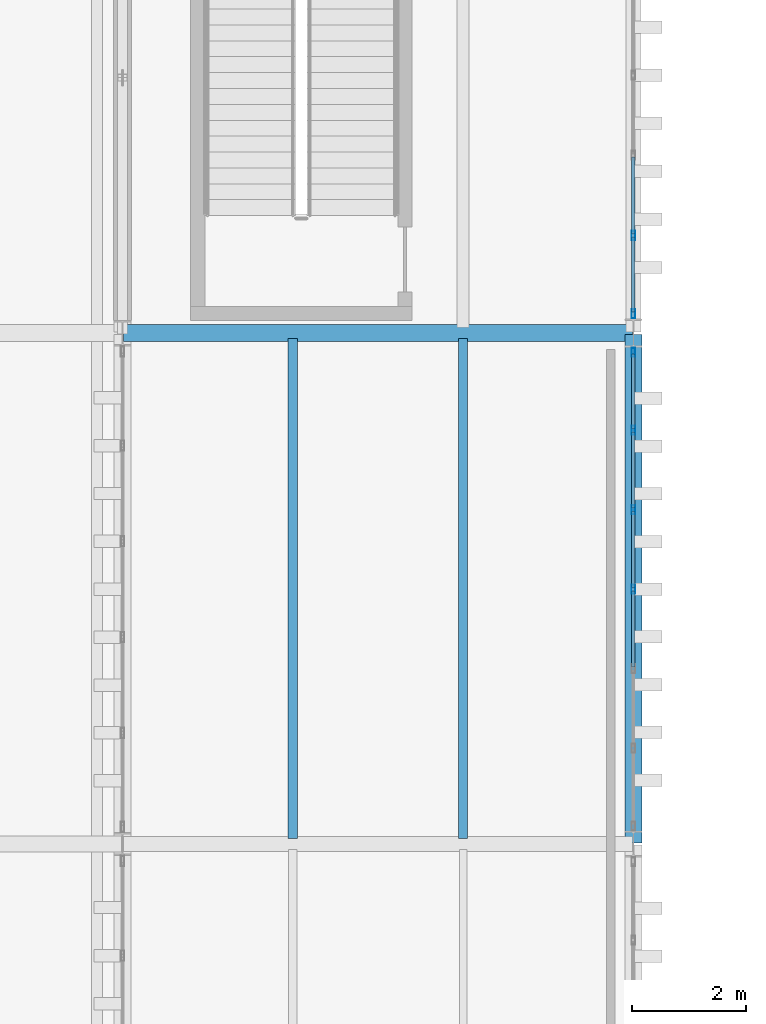
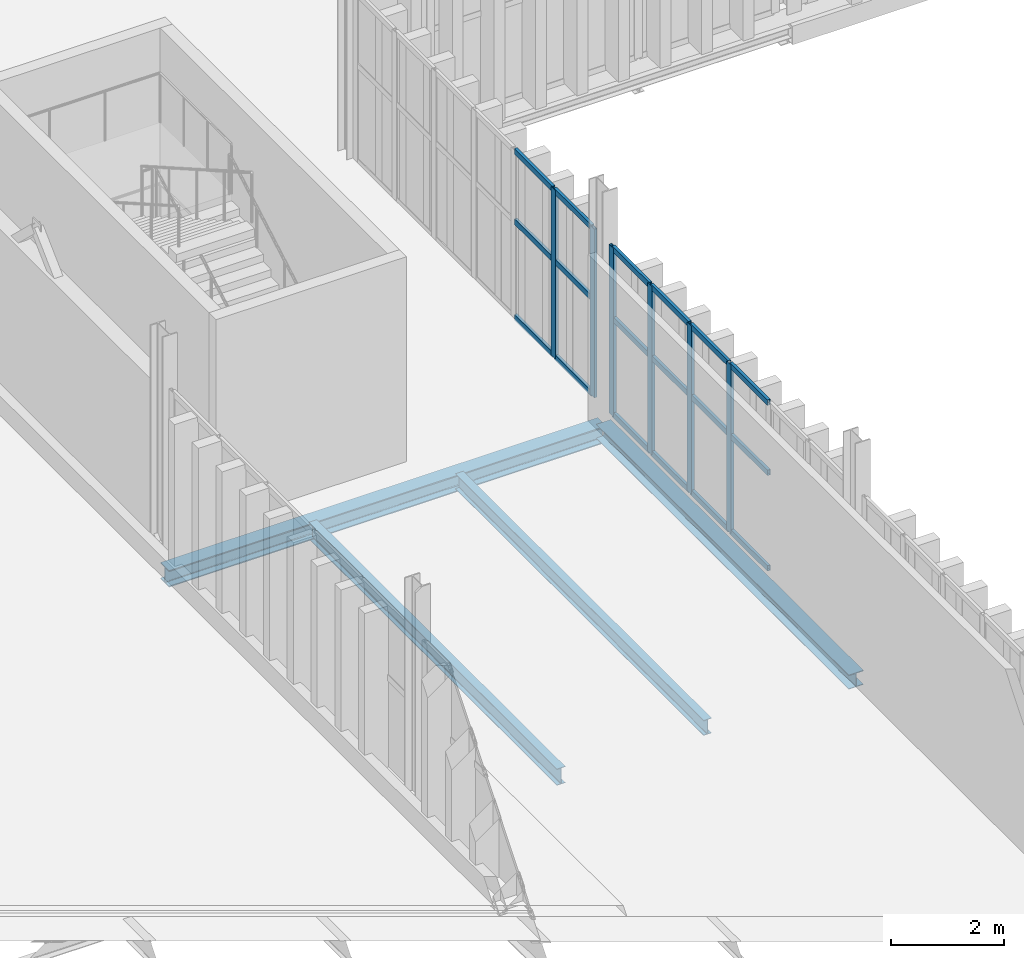
# One storey, part 132 of 196: 24 members, 4 beams, 2 elements without a shape of their own.
"""IFC4 building model written with IfcOpenShell, lengths in metres."""

from ifc_helpers import new_model, si_unit, direction, frame, origin, origin_2d, place, context, subcontext, project, spatial, hollow_rectangle, i_section, extrude, material, layer, layer_set, material_profile, profile_set, type_object, element, aggregate, save


model = new_model("IFC4")

# Units and contexts
model_context = context("Model", 3, precision=1e-05, world=origin(), true_north=direction((0.0, 1.0)))
body_context = subcontext(model_context, "Body", "Model", "MODEL_VIEW")
ifc_project = project(units=[si_unit("LENGTHUNIT", "METRE"), si_unit("AREAUNIT", "SQUARE_METRE"), si_unit("VOLUMEUNIT", "CUBIC_METRE"), si_unit("PLANEANGLEUNIT", "RADIAN"), si_unit("MASSUNIT", "GRAM", prefix="KILO")], contexts=[model_context])

# Site, building, storey
site_placement = place(None, origin())
site = spatial("IfcSite", under=ifc_project, at=site_placement, CompositionType="ELEMENT")
building_placement = place(site_placement, origin())
building = spatial("IfcBuilding", under=site, at=building_placement, Name="Barlavento Convention Centre", CompositionType="ELEMENT")
storey_placement = place(building_placement, frame((0.0, 0.0, 18.0)))
storey = spatial("IfcBuildingStorey", under=building, at=storey_placement, Name="L03", CompositionType="ELEMENT", Elevation=18.0)

# Curtain wall, members
ifc_material_1 = material(Name="Powder-coated aluminium and Low-E glass", Category="aluminium")
ifc_layer = layer(ifc_material_1, 0.179931640625)
ifc_layer_set = layer_set([ifc_layer], Name="ARC-CW-PATIO-B")
curtain_wall_type = type_object("IfcCurtainWallType", Name="ARC-CW-PATIO-B", PredefinedType="NOTDEFINED", material=ifc_layer_set)
curtain_wall_1_placement = place(storey_placement, origin())
curtain_wall_1 = element("IfcCurtainWall", 1, at=curtain_wall_1_placement, inside=storey, type_object=curtain_wall_type, Name="L03 unitised curtain wall CW12", PredefinedType="NOTDEFINED")
ifc_material_2 = material(Name="Powder-coated aluminium", Category="aluminium")
ifc_material_profile_1 = material_profile(ifc_material_2, hollow_rectangle(XDim=0.06005859375, YDim=0.159912109375, WallThickness=0.00390625, at=origin_2d()), Name="AL-MULL 60x160x4")
ifc_profile_set_1 = profile_set([ifc_material_profile_1], Name="Powder-coated aluminium")
member_type_1 = type_object("IfcMemberType", Name="ARC-CWM-60X160", PredefinedType="MULLION", material=ifc_profile_set_1)
member_1_placement = place(storey_placement, frame((135.0, 76.487548828125, 0.0), z_axis=(0.0, 0.0, 1.0), x_axis=(-1.0, 0.0, 0.0)))
member_1 = element("IfcMember", 2, at=member_1_placement, type_object=member_type_1, Name="CW12 mullion 4", PredefinedType="MULLION", context=body_context, shape_type="SweptSolid", body=[
    extrude(hollow_rectangle(XDim=0.06005859375, YDim=0.159912109375, WallThickness=0.00390625, at=origin_2d()), origin(), (0.0, 0.0, 1.0), 3.64990234375),
])
member_2_placement = place(storey_placement, frame((135.0, 77.888427734375, 0.0), z_axis=(0.0, 0.0, 1.0), x_axis=(-1.0, 0.0, 0.0)))
member_2 = element("IfcMember", 3, at=member_2_placement, type_object=member_type_1, Name="CW12 mullion 5", PredefinedType="MULLION", context=body_context, shape_type="SweptSolid", body=[
    extrude(hollow_rectangle(XDim=0.06005859375, YDim=0.159912109375, WallThickness=0.00390625, at=origin_2d()), origin(), (0.0, 0.0, 1.0), 3.64990234375),
])
member_3_placement = place(storey_placement, frame((135.0, 79.2890625, 0.0), z_axis=(0.0, 0.0, 1.0), x_axis=(-1.0, 0.0, 0.0)))
member_3 = element("IfcMember", 4, at=member_3_placement, type_object=member_type_1, Name="CW12 mullion 6", PredefinedType="MULLION", context=body_context, shape_type="SweptSolid", body=[
    extrude(hollow_rectangle(XDim=0.06005859375, YDim=0.159912109375, WallThickness=0.00390625, at=origin_2d()), origin(), (0.0, 0.0, 1.0), 3.64990234375),
])
member_4_placement = place(storey_placement, frame((135.0, 80.659912109375, 0.0), z_axis=(0.0, 0.0, 1.0), x_axis=(-1.0, 0.0, 0.0)))
member_4 = element("IfcMember", 5, at=member_4_placement, type_object=member_type_1, Name="CW12 mullion 7", PredefinedType="MULLION", context=body_context, shape_type="SweptSolid", body=[
    extrude(hollow_rectangle(XDim=0.06005859375, YDim=0.159912109375, WallThickness=0.00390625, at=origin_2d()), origin(), (0.0, 0.0, 1.0), 3.64990234375),
])

curtain_wall_2_placement = place(storey_placement, origin())
curtain_wall_2 = element("IfcCurtainWall", 6, at=curtain_wall_2_placement, inside=storey, type_object=curtain_wall_type, Name="L03 unitised curtain wall CW12", PredefinedType="NOTDEFINED")
member_5_placement = place(storey_placement, frame((135.0, 81.340087890625, 0.0), z_axis=(0.0, 0.0, 1.0), x_axis=(-1.0, 0.0, 0.0)))
member_5 = element("IfcMember", 7, at=member_5_placement, type_object=member_type_1, Name="CW12 mullion 1", PredefinedType="MULLION", context=body_context, shape_type="SweptSolid", body=[
    extrude(hollow_rectangle(XDim=0.06005859375, YDim=0.159912109375, WallThickness=0.00390625, at=origin_2d()), origin(), (0.0, 0.0, 1.0), 3.64990234375),
])
member_6_placement = place(storey_placement, frame((135.0, 82.719970703125, 0.0), z_axis=(0.0, 0.0, 1.0), x_axis=(-1.0, 0.0, 0.0)))
member_6 = element("IfcMember", 8, at=member_6_placement, type_object=member_type_1, Name="CW12 mullion 2", PredefinedType="MULLION", context=body_context, shape_type="SweptSolid", body=[
    extrude(hollow_rectangle(XDim=0.06005859375, YDim=0.159912109375, WallThickness=0.00390625, at=origin_2d()), origin(), (0.0, 0.0, 1.0), 3.64990234375),
])

# Member
ifc_material_profile_2 = material_profile(ifc_material_2, hollow_rectangle(XDim=0.06005859375, YDim=0.1201171875, WallThickness=0.00390625, at=origin_2d()), Name="AL-TRAN 60x120x4")
ifc_profile_set_2 = profile_set([ifc_material_profile_2], Name="Powder-coated aluminium")
member_type_2 = type_object("IfcMemberType", Name="ARC-CWT-60X120", PredefinedType="USERDEFINED", material=ifc_profile_set_2)
member_7_placement = place(storey_placement, frame((135.0, 75.11669921875, 0.030029296875), z_axis=(0.0, 1.0, 0.0), x_axis=(-1.0, 0.0, 0.0)))
member_7 = element("IfcMember", 9, at=member_7_placement, type_object=member_type_2, Name="CW12 transom 3.1", ObjectType="TRANSOM", PredefinedType="USERDEFINED", context=body_context, shape_type="SweptSolid", body=[
    extrude(hollow_rectangle(XDim=0.06005859375, YDim=0.1201171875, WallThickness=0.00390625, at=origin_2d()), origin(), (0.0, 0.0, 1.0), 1.3408203125),
])

member_8_placement = place(storey_placement, frame((135.0, 75.11669921875, 2.10009765625), z_axis=(0.0, 1.0, 0.0), x_axis=(-1.0, 0.0, 0.0)))
member_8 = element("IfcMember", 10, at=member_8_placement, type_object=member_type_2, Name="CW12 transom 3.2", ObjectType="TRANSOM", PredefinedType="USERDEFINED", context=body_context, shape_type="SweptSolid", body=[
    extrude(hollow_rectangle(XDim=0.06005859375, YDim=0.1201171875, WallThickness=0.00390625, at=origin_2d()), origin(), (0.0, 0.0, 1.0), 1.3408203125),
])

member_9_placement = place(storey_placement, frame((135.0, 75.11669921875, 3.6201171875), z_axis=(0.0, 1.0, 0.0), x_axis=(-1.0, 0.0, 0.0)))
member_9 = element("IfcMember", 11, at=member_9_placement, type_object=member_type_2, Name="CW12 transom 3.3", ObjectType="TRANSOM", PredefinedType="USERDEFINED", context=body_context, shape_type="SweptSolid", body=[
    extrude(hollow_rectangle(XDim=0.06005859375, YDim=0.1201171875, WallThickness=0.00390625, at=origin_2d()), origin(), (0.0, 0.0, 1.0), 1.3408203125),
])

member_10_placement = place(storey_placement, frame((135.0, 76.517578125, 0.030029296875), z_axis=(0.0, 1.0, 0.0), x_axis=(-1.0, 0.0, 0.0)))
member_10 = element("IfcMember", 12, at=member_10_placement, type_object=member_type_2, Name="CW12 transom 4.1", ObjectType="TRANSOM", PredefinedType="USERDEFINED", context=body_context, shape_type="SweptSolid", body=[
    extrude(hollow_rectangle(XDim=0.06005859375, YDim=0.1201171875, WallThickness=0.00390625, at=origin_2d()), origin(), (0.0, 0.0, 1.0), 1.3408203125),
])

member_11_placement = place(storey_placement, frame((135.0, 76.517578125, 2.10009765625), z_axis=(0.0, 1.0, 0.0), x_axis=(-1.0, 0.0, 0.0)))
member_11 = element("IfcMember", 13, at=member_11_placement, type_object=member_type_2, Name="CW12 transom 4.2", ObjectType="TRANSOM", PredefinedType="USERDEFINED", context=body_context, shape_type="SweptSolid", body=[
    extrude(hollow_rectangle(XDim=0.06005859375, YDim=0.1201171875, WallThickness=0.00390625, at=origin_2d()), origin(), (0.0, 0.0, 1.0), 1.3408203125),
])

member_12_placement = place(storey_placement, frame((135.0, 76.517578125, 3.6201171875), z_axis=(0.0, 1.0, 0.0), x_axis=(-1.0, 0.0, 0.0)))
member_12 = element("IfcMember", 14, at=member_12_placement, type_object=member_type_2, Name="CW12 transom 4.3", ObjectType="TRANSOM", PredefinedType="USERDEFINED", context=body_context, shape_type="SweptSolid", body=[
    extrude(hollow_rectangle(XDim=0.06005859375, YDim=0.1201171875, WallThickness=0.00390625, at=origin_2d()), origin(), (0.0, 0.0, 1.0), 1.3408203125),
])

member_13_placement = place(storey_placement, frame((135.0, 77.918212890625, 0.030029296875), z_axis=(0.0, 1.0, 0.0), x_axis=(-1.0, 0.0, 0.0)))
member_13 = element("IfcMember", 15, at=member_13_placement, type_object=member_type_2, Name="CW12 transom 5.1", ObjectType="TRANSOM", PredefinedType="USERDEFINED", context=body_context, shape_type="SweptSolid", body=[
    extrude(hollow_rectangle(XDim=0.06005859375, YDim=0.1201171875, WallThickness=0.00390625, at=origin_2d()), origin(), (0.0, 0.0, 1.0), 1.341064453125),
])

member_14_placement = place(storey_placement, frame((135.0, 77.918212890625, 2.10009765625), z_axis=(0.0, 1.0, 0.0), x_axis=(-1.0, 0.0, 0.0)))
member_14 = element("IfcMember", 16, at=member_14_placement, type_object=member_type_2, Name="CW12 transom 5.2", ObjectType="TRANSOM", PredefinedType="USERDEFINED", context=body_context, shape_type="SweptSolid", body=[
    extrude(hollow_rectangle(XDim=0.06005859375, YDim=0.1201171875, WallThickness=0.00390625, at=origin_2d()), origin(), (0.0, 0.0, 1.0), 1.341064453125),
])

member_15_placement = place(storey_placement, frame((135.0, 77.918212890625, 3.6201171875), z_axis=(0.0, 1.0, 0.0), x_axis=(-1.0, 0.0, 0.0)))
member_15 = element("IfcMember", 17, at=member_15_placement, type_object=member_type_2, Name="CW12 transom 5.3", ObjectType="TRANSOM", PredefinedType="USERDEFINED", context=body_context, shape_type="SweptSolid", body=[
    extrude(hollow_rectangle(XDim=0.06005859375, YDim=0.1201171875, WallThickness=0.00390625, at=origin_2d()), origin(), (0.0, 0.0, 1.0), 1.341064453125),
])

member_16_placement = place(storey_placement, frame((135.0, 79.319091796875, 0.030029296875), z_axis=(0.0, 1.0, 0.0), x_axis=(-1.0, 0.0, 0.0)))
member_16 = element("IfcMember", 18, at=member_16_placement, type_object=member_type_2, Name="CW12 transom 6.1", ObjectType="TRANSOM", PredefinedType="USERDEFINED", context=body_context, shape_type="SweptSolid", body=[
    extrude(hollow_rectangle(XDim=0.06005859375, YDim=0.1201171875, WallThickness=0.00390625, at=origin_2d()), origin(), (0.0, 0.0, 1.0), 1.310791015625),
])

member_17_placement = place(storey_placement, frame((135.0, 79.319091796875, 2.10009765625), z_axis=(0.0, 1.0, 0.0), x_axis=(-1.0, 0.0, 0.0)))
member_17 = element("IfcMember", 19, at=member_17_placement, type_object=member_type_2, Name="CW12 transom 6.2", ObjectType="TRANSOM", PredefinedType="USERDEFINED", context=body_context, shape_type="SweptSolid", body=[
    extrude(hollow_rectangle(XDim=0.06005859375, YDim=0.1201171875, WallThickness=0.00390625, at=origin_2d()), origin(), (0.0, 0.0, 1.0), 1.310791015625),
])

member_18_placement = place(storey_placement, frame((135.0, 79.319091796875, 3.6201171875), z_axis=(0.0, 1.0, 0.0), x_axis=(-1.0, 0.0, 0.0)))
member_18 = element("IfcMember", 20, at=member_18_placement, type_object=member_type_2, Name="CW12 transom 6.3", ObjectType="TRANSOM", PredefinedType="USERDEFINED", context=body_context, shape_type="SweptSolid", body=[
    extrude(hollow_rectangle(XDim=0.06005859375, YDim=0.1201171875, WallThickness=0.00390625, at=origin_2d()), origin(), (0.0, 0.0, 1.0), 1.310791015625),
])

aggregate(curtain_wall_1, [member_1, member_2, member_3, member_4, member_7, member_8, member_9, member_10, member_11, member_12, member_13, member_14, member_15, member_16, member_17, member_18])

member_19_placement = place(storey_placement, frame((135.0, 81.3701171875, 0.030029296875), z_axis=(0.0, 1.0, 0.0), x_axis=(-1.0, 0.0, 0.0)))
member_19 = element("IfcMember", 21, at=member_19_placement, type_object=member_type_2, Name="CW12 transom 1.1", ObjectType="TRANSOM", PredefinedType="USERDEFINED", context=body_context, shape_type="SweptSolid", body=[
    extrude(hollow_rectangle(XDim=0.06005859375, YDim=0.1201171875, WallThickness=0.00390625, at=origin_2d()), origin(), (0.0, 0.0, 1.0), 1.31982421875),
])

member_20_placement = place(storey_placement, frame((135.0, 81.3701171875, 2.10009765625), z_axis=(0.0, 1.0, 0.0), x_axis=(-1.0, 0.0, 0.0)))
member_20 = element("IfcMember", 22, at=member_20_placement, type_object=member_type_2, Name="CW12 transom 1.2", ObjectType="TRANSOM", PredefinedType="USERDEFINED", context=body_context, shape_type="SweptSolid", body=[
    extrude(hollow_rectangle(XDim=0.06005859375, YDim=0.1201171875, WallThickness=0.00390625, at=origin_2d()), origin(), (0.0, 0.0, 1.0), 1.31982421875),
])

member_21_placement = place(storey_placement, frame((135.0, 81.3701171875, 3.6201171875), z_axis=(0.0, 1.0, 0.0), x_axis=(-1.0, 0.0, 0.0)))
member_21 = element("IfcMember", 23, at=member_21_placement, type_object=member_type_2, Name="CW12 transom 1.3", ObjectType="TRANSOM", PredefinedType="USERDEFINED", context=body_context, shape_type="SweptSolid", body=[
    extrude(hollow_rectangle(XDim=0.06005859375, YDim=0.1201171875, WallThickness=0.00390625, at=origin_2d()), origin(), (0.0, 0.0, 1.0), 1.31982421875),
])

member_22_placement = place(storey_placement, frame((135.0, 82.75, 0.030029296875), z_axis=(0.0, 1.0, 0.0), x_axis=(-1.0, 0.0, 0.0)))
member_22 = element("IfcMember", 24, at=member_22_placement, type_object=member_type_2, Name="CW12 transom 2.1", ObjectType="TRANSOM", PredefinedType="USERDEFINED", context=body_context, shape_type="SweptSolid", body=[
    extrude(hollow_rectangle(XDim=0.06005859375, YDim=0.1201171875, WallThickness=0.00390625, at=origin_2d()), origin(), (0.0, 0.0, 1.0), 1.35009765625),
])

member_23_placement = place(storey_placement, frame((135.0, 82.75, 2.10009765625), z_axis=(0.0, 1.0, 0.0), x_axis=(-1.0, 0.0, 0.0)))
member_23 = element("IfcMember", 25, at=member_23_placement, type_object=member_type_2, Name="CW12 transom 2.2", ObjectType="TRANSOM", PredefinedType="USERDEFINED", context=body_context, shape_type="SweptSolid", body=[
    extrude(hollow_rectangle(XDim=0.06005859375, YDim=0.1201171875, WallThickness=0.00390625, at=origin_2d()), origin(), (0.0, 0.0, 1.0), 1.35009765625),
])

member_24_placement = place(storey_placement, frame((135.0, 82.75, 3.6201171875), z_axis=(0.0, 1.0, 0.0), x_axis=(-1.0, 0.0, 0.0)))
member_24 = element("IfcMember", 26, at=member_24_placement, type_object=member_type_2, Name="CW12 transom 2.3", ObjectType="TRANSOM", PredefinedType="USERDEFINED", context=body_context, shape_type="SweptSolid", body=[
    extrude(hollow_rectangle(XDim=0.06005859375, YDim=0.1201171875, WallThickness=0.00390625, at=origin_2d()), origin(), (0.0, 0.0, 1.0), 1.35009765625),
])

aggregate(curtain_wall_2, [member_5, member_6, member_19, member_20, member_21, member_22, member_23, member_24])

# Beams
ifc_material_3 = material(Name="Steel S355", Category="steel")
ifc_material_profile_3 = material_profile(ifc_material_3, i_section(OverallWidth=0.159912109375, OverallDepth=0.330078125, WebThickness=0.007568359375, FlangeThickness=0.011474609375, FilletRadius=0.01806640625, at=origin_2d()), Name="IPE 330")
ifc_profile_set_3 = profile_set([ifc_material_profile_3], Name="Steel S355")
beam_type_1 = type_object("IfcBeamType", Name="STR-BM-JST-IPE330", PredefinedType="JOIST", material=ifc_profile_set_3)
beam_1_placement = place(storey_placement, frame((132.0, 72.094970703125, -0.52490234375), z_axis=(0.0, 1.0, 0.0), x_axis=(-1.0, 0.0, 0.0)))
element("IfcBeam", 27, at=beam_1_placement, inside=storey, type_object=beam_type_1, Name="L03 composite floor joist SJ06", PredefinedType="JOIST", context=body_context, shape_type="SweptSolid", body=[
    extrude(i_section(OverallWidth=0.159912109375, OverallDepth=0.330078125, WebThickness=0.007568359375, FlangeThickness=0.011474609375, FilletRadius=0.01806640625, at=origin_2d()), origin(), (0.0, 0.0, 1.0), 8.81005859375),
])
ifc_material_profile_4 = material_profile(ifc_material_3, i_section(OverallWidth=0.169921875, OverallDepth=0.360107421875, WebThickness=0.008056640625, FlangeThickness=0.0126953125, FilletRadius=0.01806640625, at=origin_2d()), Name="IPE 360")
ifc_profile_set_4 = profile_set([ifc_material_profile_4], Name="Steel S355")
beam_type_2 = type_object("IfcBeamType", Name="STR-BM-JST-IPE360", PredefinedType="JOIST", material=ifc_profile_set_4)
beam_2_placement = place(storey_placement, frame((129.0, 72.094970703125, -0.5400390625), z_axis=(0.0, 1.0, 0.0), x_axis=(-1.0, 0.0, 0.0)))
element("IfcBeam", 28, at=beam_2_placement, inside=storey, type_object=beam_type_2, Name="L03 composite floor joist SJ05", PredefinedType="JOIST", context=body_context, shape_type="SweptSolid", body=[
    extrude(i_section(OverallWidth=0.169921875, OverallDepth=0.360107421875, WebThickness=0.008056640625, FlangeThickness=0.0126953125, FilletRadius=0.01806640625, at=origin_2d()), origin(), (0.0, 0.0, 1.0), 8.81005859375),
])
ifc_material_profile_5 = material_profile(ifc_material_3, i_section(OverallWidth=0.300048828125, OverallDepth=0.360107421875, WebThickness=0.012451171875, FlangeThickness=0.0224609375, FilletRadius=0.027099609375, at=origin_2d()), Name="HEB 360")
ifc_profile_set_5 = profile_set([ifc_material_profile_5], Name="Steel S355")
beam_type_3 = type_object("IfcBeamType", Name="STR-BM-PRI-HEB360", PredefinedType="BEAM", material=ifc_profile_set_5)
beam_3_placement = place(storey_placement, frame((126.02001953125, 81.0, -0.5400390625), z_axis=(1.0, 0.0, 0.0), x_axis=(0.0, 1.0, 0.0)))
element("IfcBeam", 29, at=beam_3_placement, inside=storey, type_object=beam_type_3, Name="L03 primary girder BG12", PredefinedType="BEAM", context=body_context, shape_type="SweptSolid", body=[
    extrude(i_section(OverallWidth=0.300048828125, OverallDepth=0.360107421875, WebThickness=0.012451171875, FlangeThickness=0.0224609375, FilletRadius=0.027099609375, at=origin_2d()), origin(), (0.0, 0.0, 1.0), 8.9599609375),
])
ifc_material_profile_6 = material_profile(ifc_material_3, i_section(OverallWidth=0.300048828125, OverallDepth=0.31005859375, WebThickness=0.009033203125, FlangeThickness=0.015380859375, FilletRadius=0.027099609375, at=origin_2d()), Name="HEA 320")
ifc_profile_set_6 = profile_set([ifc_material_profile_6], Name="Steel S355")
beam_type_4 = type_object("IfcBeamType", Name="STR-BM-SPN-HEA320", PredefinedType="SPANDREL", material=ifc_profile_set_6)
beam_4_placement = place(storey_placement, frame((135.0, 72.02001953125, -0.514892578125), z_axis=(0.0, 1.0, 0.0), x_axis=(-1.0, 0.0, 0.0)))
element("IfcBeam", 30, at=beam_4_placement, inside=storey, type_object=beam_type_4, Name="L03 grid girder SP01", PredefinedType="SPANDREL", context=body_context, shape_type="SweptSolid", body=[
    extrude(i_section(OverallWidth=0.300048828125, OverallDepth=0.31005859375, WebThickness=0.009033203125, FlangeThickness=0.015380859375, FilletRadius=0.027099609375, at=origin_2d()), origin(), (0.0, 0.0, 1.0), 8.9599609375),
])

save(model, "model.ifc")
